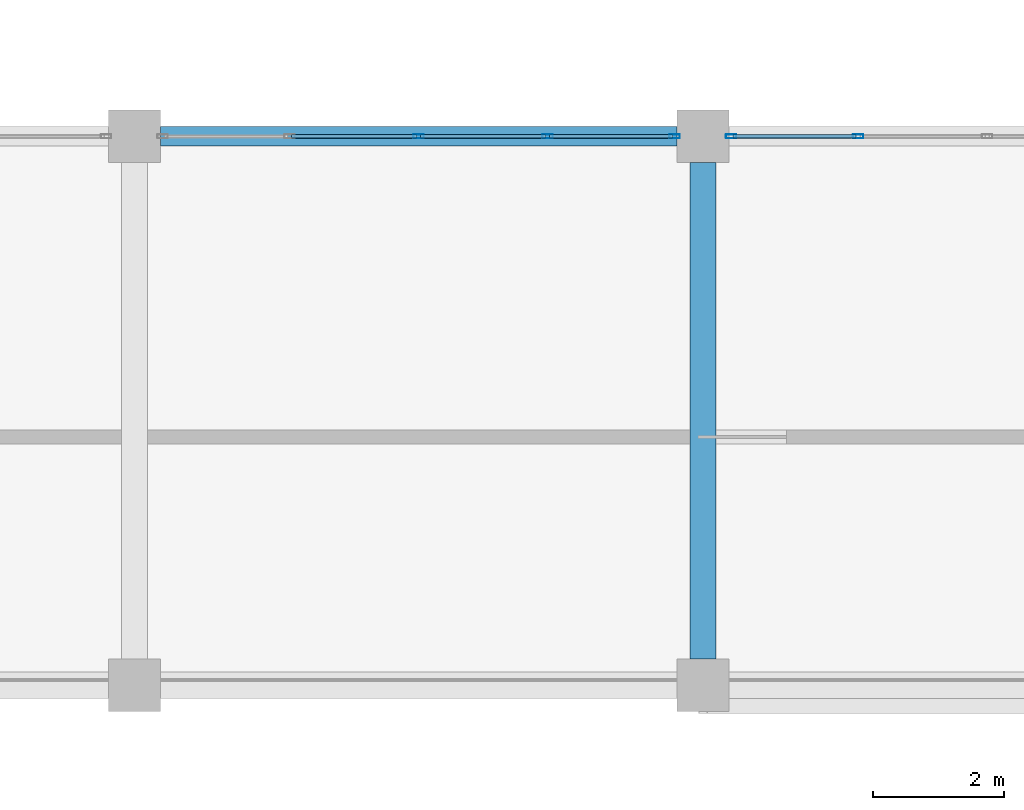
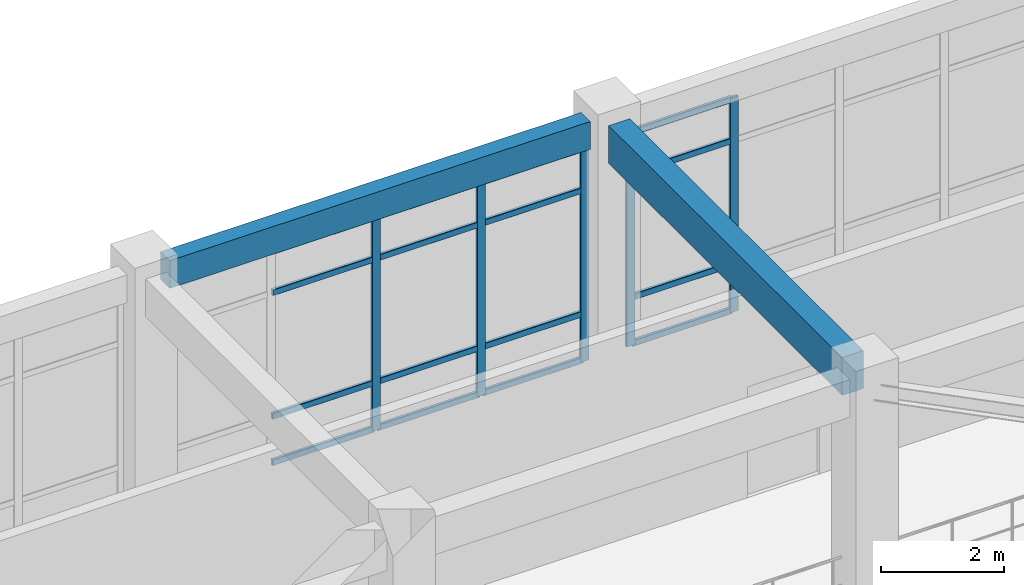
# One storey, part 47 of 96: 21 members, 2 beams, 2 elements without a shape of their own.
"""IFC4 building model written with IfcOpenShell, lengths in metres."""

from ifc_helpers import new_model, si_unit, derived_unit, direction, frame, origin, origin_2d, place, context, subcontext, project, spatial, rectangle, hollow_rectangle, extrude, material, layer, layer_set, material_profile, profile_set, type_object, element, aggregate, save


model = new_model("IFC4")

# Units and contexts
model_context = context("Model", 3, precision=1e-05, world=origin(), true_north=direction((0.0, 1.0)))
body_context = subcontext(model_context, "Body", "Model", "MODEL_VIEW")
ifc_project = project(units=[si_unit("LENGTHUNIT", "METRE"), si_unit("AREAUNIT", "SQUARE_METRE"), si_unit("VOLUMEUNIT", "CUBIC_METRE"), si_unit("PLANEANGLEUNIT", "RADIAN"), si_unit("MASSUNIT", "GRAM", prefix="KILO"), derived_unit("THERMALTRANSMITTANCEUNIT", [(si_unit("MASSUNIT", "GRAM", prefix="KILO"), 1), (si_unit("TIMEUNIT", "SECOND"), -3), (si_unit("THERMODYNAMICTEMPERATUREUNIT", "KELVIN"), -1)])], contexts=[model_context])

# Site, building, storey
site_placement = place(None, origin())
site = spatial("IfcSite", under=ifc_project, at=site_placement, CompositionType="ELEMENT")
building_placement = place(site_placement, origin())
building = spatial("IfcBuilding", under=site, at=building_placement, Name="Qinzheling Arcade Emporium", CompositionType="ELEMENT")
storey_placement = place(building_placement, frame((0.0, 0.0, 21.60009765625)))
storey = spatial("IfcBuildingStorey", under=building, at=storey_placement, Name="L05", CompositionType="ELEMENT", Elevation=21.60009765625)

# Curtain wall, members
ifc_material_1 = material(Name="Anodised aluminium and solar-control double glazing", Category="aluminium")
ifc_layer = layer(ifc_material_1, 0.159912109375, Name="Anodised aluminium and solar-control double glazing", Category="aluminium")
ifc_layer_set = layer_set([ifc_layer], Name="Anodised aluminium and solar-control double glazing")
curtain_wall_type = type_object("IfcCurtainWallType", Name="Atrium Clerestory Curtain Wall", PredefinedType="NOTDEFINED", material=ifc_layer_set)
curtain_wall_1_placement = place(storey_placement, origin())
curtain_wall_1 = element("IfcCurtainWall", 1, at=curtain_wall_1_placement, inside=storey, type_object=curtain_wall_type, Name="Curtain Wall CW-L05-321", PredefinedType="NOTDEFINED")
ifc_material_2 = material(Name="Anodised aluminium 6063-T6", Category="aluminium")
ifc_material_profile_1 = material_profile(ifc_material_2, hollow_rectangle(XDim=0.06005859375, YDim=0.159912109375, WallThickness=0.00390625, InnerFilletRadius=0.00390625, OuterFilletRadius=0.008056640625, at=origin_2d()), Name="RHS 160x60x4", Category="aluminium")
ifc_profile_set_1 = profile_set([ifc_material_profile_1], Name="Anodised aluminium 6063-T6")
member_type_1 = type_object("IfcMemberType", Name="Curtain Wall Mullion RHS160x60", PredefinedType="MULLION", material=ifc_profile_set_1)
member_1_placement = place(storey_placement, frame((65.25, 73.800048828125, 0.0), z_axis=(0.0, 0.0, 1.0), x_axis=(0.0, 1.0, 0.0)))
member_1 = element("IfcMember", 2, at=member_1_placement, type_object=member_type_1, Name="CW03 mullion 3", PredefinedType="MULLION", context=body_context, shape_type="SweptSolid", body=[
    extrude(hollow_rectangle(XDim=0.06005859375, YDim=0.159912109375, WallThickness=0.00390625, InnerFilletRadius=0.00390625, OuterFilletRadius=0.008056640625, at=origin_2d()), origin(), (0.0, 0.0, 1.0), 4.2548828125),
])
member_2_placement = place(storey_placement, frame((67.22412109375, 73.800048828125, 0.0), z_axis=(0.0, 0.0, 1.0), x_axis=(0.0, 1.0, 0.0)))
member_2 = element("IfcMember", 3, at=member_2_placement, type_object=member_type_1, Name="CW03 mullion 4", PredefinedType="MULLION", context=body_context, shape_type="SweptSolid", body=[
    extrude(hollow_rectangle(XDim=0.06005859375, YDim=0.159912109375, WallThickness=0.00390625, InnerFilletRadius=0.00390625, OuterFilletRadius=0.008056640625, at=origin_2d()), origin(), (0.0, 0.0, 1.0), 4.2548828125),
])
member_3_placement = place(storey_placement, frame((69.16796875, 73.800048828125, 0.0), z_axis=(0.0, 0.0, 1.0), x_axis=(0.0, 1.0, 0.0)))
member_3 = element("IfcMember", 4, at=member_3_placement, type_object=member_type_1, Name="CW03 mullion 5", PredefinedType="MULLION", context=body_context, shape_type="SweptSolid", body=[
    extrude(hollow_rectangle(XDim=0.06005859375, YDim=0.159912109375, WallThickness=0.00390625, InnerFilletRadius=0.00390625, OuterFilletRadius=0.008056640625, at=origin_2d()), origin(), (0.0, 0.0, 1.0), 4.2548828125),
])

curtain_wall_2_placement = place(storey_placement, origin())
curtain_wall_2 = element("IfcCurtainWall", 5, at=curtain_wall_2_placement, inside=storey, type_object=curtain_wall_type, Name="Curtain Wall CW-L05-322", PredefinedType="NOTDEFINED")
member_4_placement = place(storey_placement, frame((70.031982421875, 73.800048828125, 0.0), z_axis=(0.0, 0.0, 1.0), x_axis=(0.0, 1.0, 0.0)))
member_4 = element("IfcMember", 6, at=member_4_placement, type_object=member_type_1, Name="CW03 mullion 1", PredefinedType="MULLION", context=body_context, shape_type="SweptSolid", body=[
    extrude(hollow_rectangle(XDim=0.06005859375, YDim=0.159912109375, WallThickness=0.00390625, InnerFilletRadius=0.00390625, OuterFilletRadius=0.008056640625, at=origin_2d()), origin(), (0.0, 0.0, 1.0), 4.2548828125),
])
member_5_placement = place(storey_placement, frame((71.97607421875, 73.800048828125, 0.0), z_axis=(0.0, 0.0, 1.0), x_axis=(0.0, 1.0, 0.0)))
member_5 = element("IfcMember", 7, at=member_5_placement, type_object=member_type_1, Name="CW03 mullion 2", PredefinedType="MULLION", context=body_context, shape_type="SweptSolid", body=[
    extrude(hollow_rectangle(XDim=0.06005859375, YDim=0.159912109375, WallThickness=0.00390625, InnerFilletRadius=0.00390625, OuterFilletRadius=0.008056640625, at=origin_2d()), origin(), (0.0, 0.0, 1.0), 4.2548828125),
])

# Member
ifc_material_profile_2 = material_profile(ifc_material_2, hollow_rectangle(XDim=0.06005859375, YDim=0.1201171875, WallThickness=0.00390625, InnerFilletRadius=0.00390625, OuterFilletRadius=0.008056640625, at=origin_2d()), Name="RHS 120x60x4", Category="aluminium")
ifc_profile_set_2 = profile_set([ifc_material_profile_2], Name="Anodised aluminium 6063-T6")
member_type_2 = type_object("IfcMemberType", Name="Curtain Wall Transom RHS120x60", PredefinedType="USERDEFINED", material=ifc_profile_set_2)
member_6_placement = place(storey_placement, frame((63.305908203125, 73.800048828125, 0.02978515625), z_axis=(1.0, 0.0, 0.0), x_axis=(0.0, 1.0, 0.0)))
member_6 = element("IfcMember", 8, at=member_6_placement, type_object=member_type_2, Name="CW03 transom 2.1", ObjectType="TRANSOM", PredefinedType="USERDEFINED", context=body_context, shape_type="SweptSolid", body=[
    extrude(hollow_rectangle(XDim=0.06005859375, YDim=0.1201171875, WallThickness=0.00390625, InnerFilletRadius=0.00390625, OuterFilletRadius=0.008056640625, at=origin_2d()), origin(), (0.0, 0.0, 1.0), 1.9140625),
])

member_7_placement = place(storey_placement, frame((63.305908203125, 73.800048828125, 0.949951171875), z_axis=(1.0, 0.0, 0.0), x_axis=(0.0, 1.0, 0.0)))
member_7 = element("IfcMember", 9, at=member_7_placement, type_object=member_type_2, Name="CW03 transom 2.2", ObjectType="TRANSOM", PredefinedType="USERDEFINED", context=body_context, shape_type="SweptSolid", body=[
    extrude(hollow_rectangle(XDim=0.06005859375, YDim=0.1201171875, WallThickness=0.00390625, InnerFilletRadius=0.00390625, OuterFilletRadius=0.008056640625, at=origin_2d()), origin(), (0.0, 0.0, 1.0), 1.9140625),
])

member_8_placement = place(storey_placement, frame((63.305908203125, 73.800048828125, 3.40478515625), z_axis=(1.0, 0.0, 0.0), x_axis=(0.0, 1.0, 0.0)))
member_8 = element("IfcMember", 10, at=member_8_placement, type_object=member_type_2, Name="CW03 transom 2.3", ObjectType="TRANSOM", PredefinedType="USERDEFINED", context=body_context, shape_type="SweptSolid", body=[
    extrude(hollow_rectangle(XDim=0.06005859375, YDim=0.1201171875, WallThickness=0.00390625, InnerFilletRadius=0.00390625, OuterFilletRadius=0.008056640625, at=origin_2d()), origin(), (0.0, 0.0, 1.0), 1.9140625),
])

member_9_placement = place(storey_placement, frame((63.305908203125, 73.800048828125, 4.224853515625), z_axis=(1.0, 0.0, 0.0), x_axis=(0.0, 1.0, 0.0)))
member_9 = element("IfcMember", 11, at=member_9_placement, type_object=member_type_2, Name="CW03 transom 2.4", ObjectType="TRANSOM", PredefinedType="USERDEFINED", context=body_context, shape_type="SweptSolid", body=[
    extrude(hollow_rectangle(XDim=0.06005859375, YDim=0.1201171875, WallThickness=0.00390625, InnerFilletRadius=0.00390625, OuterFilletRadius=0.008056640625, at=origin_2d()), origin(), (0.0, 0.0, 1.0), 1.9140625),
])

member_10_placement = place(storey_placement, frame((65.280029296875, 73.800048828125, 0.02978515625), z_axis=(1.0, 0.0, 0.0), x_axis=(0.0, 1.0, 0.0)))
member_10 = element("IfcMember", 12, at=member_10_placement, type_object=member_type_2, Name="CW03 transom 3.1", ObjectType="TRANSOM", PredefinedType="USERDEFINED", context=body_context, shape_type="SweptSolid", body=[
    extrude(hollow_rectangle(XDim=0.06005859375, YDim=0.1201171875, WallThickness=0.00390625, InnerFilletRadius=0.00390625, OuterFilletRadius=0.008056640625, at=origin_2d()), origin(), (0.0, 0.0, 1.0), 1.9140625),
])

member_11_placement = place(storey_placement, frame((65.280029296875, 73.800048828125, 0.949951171875), z_axis=(1.0, 0.0, 0.0), x_axis=(0.0, 1.0, 0.0)))
member_11 = element("IfcMember", 13, at=member_11_placement, type_object=member_type_2, Name="CW03 transom 3.2", ObjectType="TRANSOM", PredefinedType="USERDEFINED", context=body_context, shape_type="SweptSolid", body=[
    extrude(hollow_rectangle(XDim=0.06005859375, YDim=0.1201171875, WallThickness=0.00390625, InnerFilletRadius=0.00390625, OuterFilletRadius=0.008056640625, at=origin_2d()), origin(), (0.0, 0.0, 1.0), 1.9140625),
])

member_12_placement = place(storey_placement, frame((65.280029296875, 73.800048828125, 3.40478515625), z_axis=(1.0, 0.0, 0.0), x_axis=(0.0, 1.0, 0.0)))
member_12 = element("IfcMember", 14, at=member_12_placement, type_object=member_type_2, Name="CW03 transom 3.3", ObjectType="TRANSOM", PredefinedType="USERDEFINED", context=body_context, shape_type="SweptSolid", body=[
    extrude(hollow_rectangle(XDim=0.06005859375, YDim=0.1201171875, WallThickness=0.00390625, InnerFilletRadius=0.00390625, OuterFilletRadius=0.008056640625, at=origin_2d()), origin(), (0.0, 0.0, 1.0), 1.9140625),
])

member_13_placement = place(storey_placement, frame((65.280029296875, 73.800048828125, 4.224853515625), z_axis=(1.0, 0.0, 0.0), x_axis=(0.0, 1.0, 0.0)))
member_13 = element("IfcMember", 15, at=member_13_placement, type_object=member_type_2, Name="CW03 transom 3.4", ObjectType="TRANSOM", PredefinedType="USERDEFINED", context=body_context, shape_type="SweptSolid", body=[
    extrude(hollow_rectangle(XDim=0.06005859375, YDim=0.1201171875, WallThickness=0.00390625, InnerFilletRadius=0.00390625, OuterFilletRadius=0.008056640625, at=origin_2d()), origin(), (0.0, 0.0, 1.0), 1.9140625),
])

member_14_placement = place(storey_placement, frame((67.25390625, 73.800048828125, 0.02978515625), z_axis=(1.0, 0.0, 0.0), x_axis=(0.0, 1.0, 0.0)))
member_14 = element("IfcMember", 16, at=member_14_placement, type_object=member_type_2, Name="CW03 transom 4.1", ObjectType="TRANSOM", PredefinedType="USERDEFINED", context=body_context, shape_type="SweptSolid", body=[
    extrude(hollow_rectangle(XDim=0.06005859375, YDim=0.1201171875, WallThickness=0.00390625, InnerFilletRadius=0.00390625, OuterFilletRadius=0.008056640625, at=origin_2d()), origin(), (0.0, 0.0, 1.0), 1.884033203125),
])

member_15_placement = place(storey_placement, frame((67.25390625, 73.800048828125, 0.949951171875), z_axis=(1.0, 0.0, 0.0), x_axis=(0.0, 1.0, 0.0)))
member_15 = element("IfcMember", 17, at=member_15_placement, type_object=member_type_2, Name="CW03 transom 4.2", ObjectType="TRANSOM", PredefinedType="USERDEFINED", context=body_context, shape_type="SweptSolid", body=[
    extrude(hollow_rectangle(XDim=0.06005859375, YDim=0.1201171875, WallThickness=0.00390625, InnerFilletRadius=0.00390625, OuterFilletRadius=0.008056640625, at=origin_2d()), origin(), (0.0, 0.0, 1.0), 1.884033203125),
])

member_16_placement = place(storey_placement, frame((67.25390625, 73.800048828125, 3.40478515625), z_axis=(1.0, 0.0, 0.0), x_axis=(0.0, 1.0, 0.0)))
member_16 = element("IfcMember", 18, at=member_16_placement, type_object=member_type_2, Name="CW03 transom 4.3", ObjectType="TRANSOM", PredefinedType="USERDEFINED", context=body_context, shape_type="SweptSolid", body=[
    extrude(hollow_rectangle(XDim=0.06005859375, YDim=0.1201171875, WallThickness=0.00390625, InnerFilletRadius=0.00390625, OuterFilletRadius=0.008056640625, at=origin_2d()), origin(), (0.0, 0.0, 1.0), 1.884033203125),
])

member_17_placement = place(storey_placement, frame((67.25390625, 73.800048828125, 4.224853515625), z_axis=(1.0, 0.0, 0.0), x_axis=(0.0, 1.0, 0.0)))
member_17 = element("IfcMember", 19, at=member_17_placement, type_object=member_type_2, Name="CW03 transom 4.4", ObjectType="TRANSOM", PredefinedType="USERDEFINED", context=body_context, shape_type="SweptSolid", body=[
    extrude(hollow_rectangle(XDim=0.06005859375, YDim=0.1201171875, WallThickness=0.00390625, InnerFilletRadius=0.00390625, OuterFilletRadius=0.008056640625, at=origin_2d()), origin(), (0.0, 0.0, 1.0), 1.884033203125),
])

aggregate(curtain_wall_1, [member_1, member_2, member_3, member_6, member_7, member_8, member_9, member_10, member_11, member_12, member_13, member_14, member_15, member_16, member_17])

member_18_placement = place(storey_placement, frame((70.06201171875, 73.800048828125, 0.02978515625), z_axis=(1.0, 0.0, 0.0), x_axis=(0.0, 1.0, 0.0)))
member_18 = element("IfcMember", 20, at=member_18_placement, type_object=member_type_2, Name="CW03 transom 1.1", ObjectType="TRANSOM", PredefinedType="USERDEFINED", context=body_context, shape_type="SweptSolid", body=[
    extrude(hollow_rectangle(XDim=0.06005859375, YDim=0.1201171875, WallThickness=0.00390625, InnerFilletRadius=0.00390625, OuterFilletRadius=0.008056640625, at=origin_2d()), origin(), (0.0, 0.0, 1.0), 1.884033203125),
])

member_19_placement = place(storey_placement, frame((70.06201171875, 73.800048828125, 0.949951171875), z_axis=(1.0, 0.0, 0.0), x_axis=(0.0, 1.0, 0.0)))
member_19 = element("IfcMember", 21, at=member_19_placement, type_object=member_type_2, Name="CW03 transom 1.2", ObjectType="TRANSOM", PredefinedType="USERDEFINED", context=body_context, shape_type="SweptSolid", body=[
    extrude(hollow_rectangle(XDim=0.06005859375, YDim=0.1201171875, WallThickness=0.00390625, InnerFilletRadius=0.00390625, OuterFilletRadius=0.008056640625, at=origin_2d()), origin(), (0.0, 0.0, 1.0), 1.884033203125),
])

member_20_placement = place(storey_placement, frame((70.06201171875, 73.800048828125, 3.40478515625), z_axis=(1.0, 0.0, 0.0), x_axis=(0.0, 1.0, 0.0)))
member_20 = element("IfcMember", 22, at=member_20_placement, type_object=member_type_2, Name="CW03 transom 1.3", ObjectType="TRANSOM", PredefinedType="USERDEFINED", context=body_context, shape_type="SweptSolid", body=[
    extrude(hollow_rectangle(XDim=0.06005859375, YDim=0.1201171875, WallThickness=0.00390625, InnerFilletRadius=0.00390625, OuterFilletRadius=0.008056640625, at=origin_2d()), origin(), (0.0, 0.0, 1.0), 1.884033203125),
])

member_21_placement = place(storey_placement, frame((70.06201171875, 73.800048828125, 4.224853515625), z_axis=(1.0, 0.0, 0.0), x_axis=(0.0, 1.0, 0.0)))
member_21 = element("IfcMember", 23, at=member_21_placement, type_object=member_type_2, Name="CW03 transom 1.4", ObjectType="TRANSOM", PredefinedType="USERDEFINED", context=body_context, shape_type="SweptSolid", body=[
    extrude(hollow_rectangle(XDim=0.06005859375, YDim=0.1201171875, WallThickness=0.00390625, InnerFilletRadius=0.00390625, OuterFilletRadius=0.008056640625, at=origin_2d()), origin(), (0.0, 0.0, 1.0), 1.884033203125),
])

aggregate(curtain_wall_2, [member_4, member_5, member_18, member_19, member_20, member_21])

# Beams
ifc_material_3 = material(Name="Concrete C40", Category="concrete")
ifc_material_profile_3 = material_profile(ifc_material_3, rectangle(XDim=0.39990234375, YDim=0.75, at=origin_2d()), Name="RC 400x750", Category="concrete")
ifc_profile_set_3 = profile_set([ifc_material_profile_3], Name="Concrete C40")
beam_type_1 = type_object("IfcBeamType", Name="RC Interior Tie Beam 400x750 C40", PredefinedType="BEAM", material=ifc_profile_set_3)
beam_1_placement = place(storey_placement, frame((69.60009765625, 65.800048828125, 4.44482421875), z_axis=(0.0, 1.0, 0.0), x_axis=(-1.0, 0.0, 0.0)))
element("IfcBeam", 24, at=beam_1_placement, inside=storey, type_object=beam_type_1, Name="Beam BM-L05-Y-9-H", PredefinedType="BEAM", context=body_context, shape_type="SweptSolid", body=[
    extrude(rectangle(XDim=0.39990234375, YDim=0.75, at=origin_2d()), origin(), (0.0, 0.0, 1.0), 7.599853515625),
])
ifc_material_profile_4 = material_profile(ifc_material_3, rectangle(XDim=0.300048828125, YDim=0.550048828125, at=origin_2d()), Name="RC 300x550", Category="concrete")
ifc_profile_set_4 = profile_set([ifc_material_profile_4], Name="Concrete C40")
beam_type_2 = type_object("IfcBeamType", Name="RC Terrace Spandrel Beam 300x550 C40", PredefinedType="SPANDREL", material=ifc_profile_set_4)
beam_2_placement = place(storey_placement, frame((61.300048828125, 73.800048828125, 4.544921875), z_axis=(1.0, 0.0, 0.0), x_axis=(0.0, 1.0, 0.0)))
element("IfcBeam", 25, at=beam_2_placement, inside=storey, type_object=beam_type_2, Name="Beam BM-L05-X-J-8", PredefinedType="SPANDREL", context=body_context, shape_type="SweptSolid", body=[
    extrude(rectangle(XDim=0.300048828125, YDim=0.550048828125, at=origin_2d()), origin(), (0.0, 0.0, 1.0), 7.89990234375),
])

save(model, "model.ifc")
